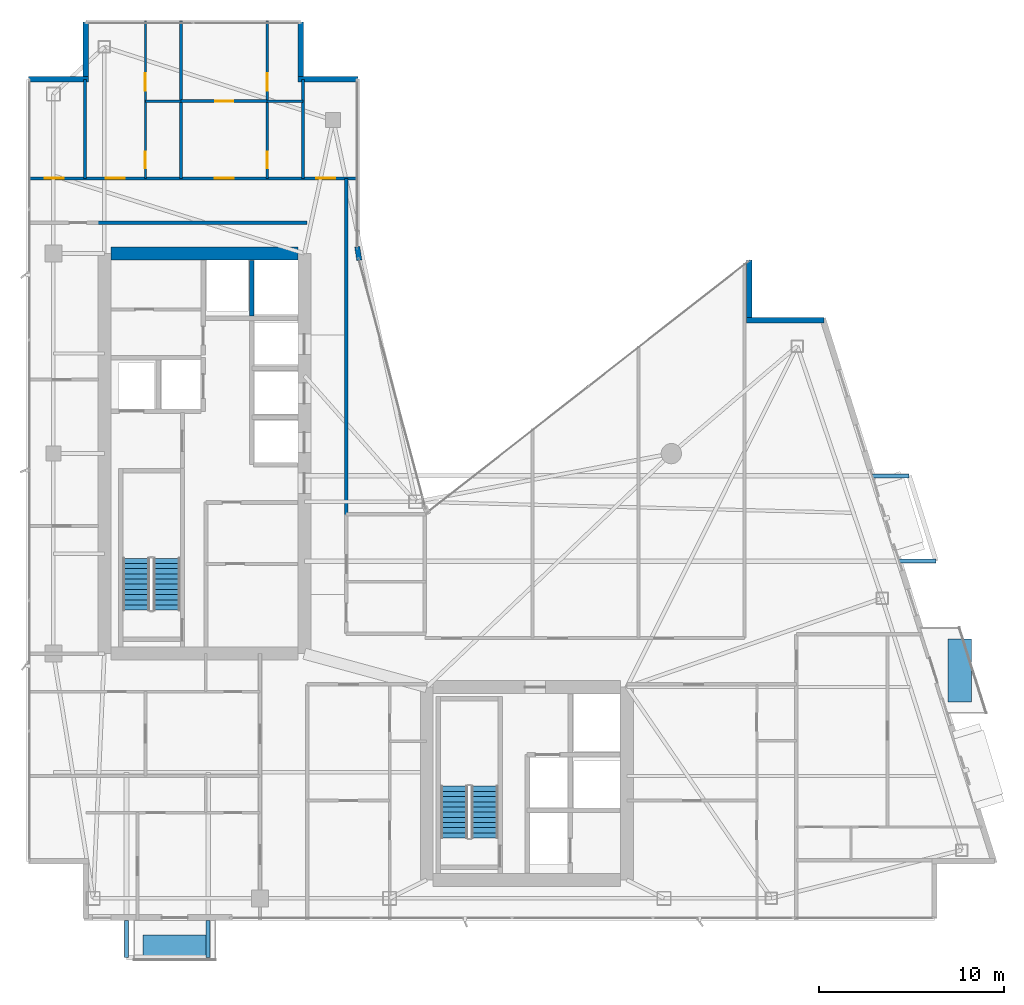
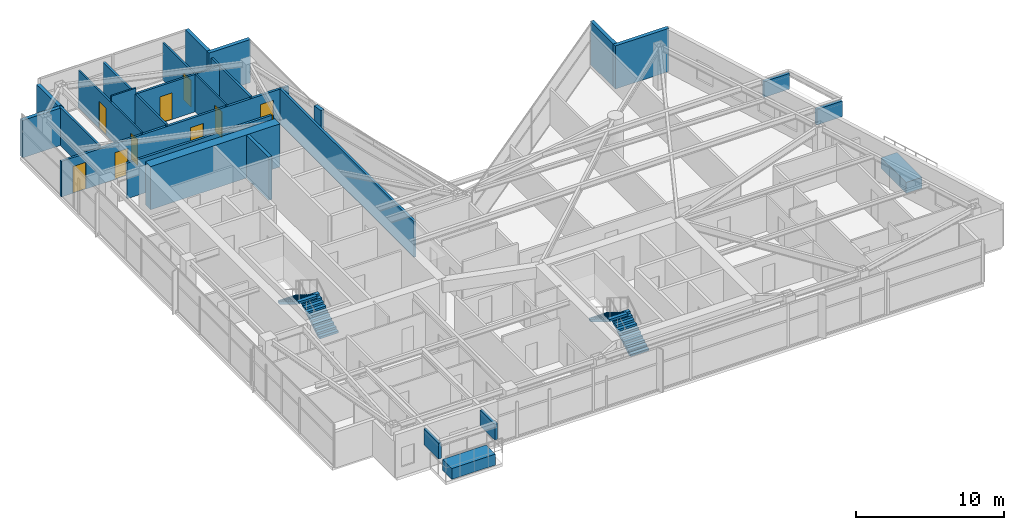
# One storey, part 27 of 30: 20 walls, 9 doors, 6 discrete accessories, 4 stair flights, 9 openings, 2 elements without a shape of their own.
"""IFC4 building model written with IfcOpenShell, lengths in metres."""

from ifc_helpers import new_model, si_unit, direction, frame, frame_2d, origin, origin_2d, place, context, subcontext, project, spatial, polyline, rectangle, outline, extrude, material, layer, layer_set, type_object, element, fill, aggregate, save


model = new_model("IFC4")

# Units and contexts
model_context = context("Model", 3, precision=1e-05, world=origin(), true_north=direction((0.0, 1.0)))
body_context = subcontext(model_context, "Body", "Model", "MODEL_VIEW")
ifc_project = project(units=[si_unit("LENGTHUNIT", "METRE"), si_unit("AREAUNIT", "SQUARE_METRE"), si_unit("VOLUMEUNIT", "CUBIC_METRE"), si_unit("PLANEANGLEUNIT", "RADIAN"), si_unit("MASSUNIT", "GRAM", prefix="KILO")], contexts=[model_context])

# Site, building, storey
site_placement = place(None, origin())
site = spatial("IfcSite", under=ifc_project, at=site_placement, CompositionType="ELEMENT")
building_placement = place(site_placement, origin())
building = spatial("IfcBuilding", under=site, at=building_placement, Name="Calvorn Quay Hotel", CompositionType="ELEMENT")
storey_placement = place(building_placement, frame((0.0, 0.0, 203.39990234375)))
storey = spatial("IfcBuildingStorey", under=building, at=storey_placement, Name="L50", CompositionType="ELEMENT", Elevation=203.39990234375)

# Wall
ifc_material_1 = material(Name="Concrete C45", Category="concrete")
ifc_layer_1 = layer(ifc_material_1, 0.699951171875)
ifc_layer_set_1 = layer_set([ifc_layer_1], Name="WL-CORE-700")
wall_type_1 = type_object("IfcWallType", Name="WL-CORE-700", PredefinedType="SHEAR", material=ifc_layer_set_1)
wall_1_placement = place(storey_placement, frame((4.550048828125, 38.39990234375, 0.0), z_axis=(0.0, 0.0, 1.0), x_axis=(1.0, 0.0, 0.0)))
element("IfcWall", 1, at=wall_1_placement, inside=storey, type_object=wall_type_1, Name="West Core Shear Wall N (L50)", PredefinedType="SHEAR", context=body_context, shape_type="SweptSolid", body=[
    extrude(rectangle(XDim=10.099853515625, YDim=0.699951171875, at=frame_2d((5.0498046875, 0.0))), origin(), (0.0, 0.0, 1.0), 3.56005859375),
])

# Wall, openings, doors
ifc_material_2 = material(Name="Acoustic Fireboard Steel-Stud Partition", Category="steel")
ifc_layer_2 = layer(ifc_material_2, 0.179931640625)
ifc_layer_set_2 = layer_set([ifc_layer_2], Name="WL-CORR-FIRE-180")
wall_type_2 = type_object("IfcWallType", Name="WL-CORR-FIRE-180", PredefinedType="PARTITIONING", material=ifc_layer_set_2)
wall_2_placement = place(storey_placement, frame((0.080078125, 42.449951171875, 0.0), z_axis=(0.0, 0.0, 1.0), x_axis=(1.0, 0.0, 0.0)))
wall_2 = element("IfcWall", 2, at=wall_2_placement, inside=storey, type_object=wall_type_2, Name="Partition Wall L50-WL-CORR-NW-N", PredefinedType="PARTITIONING", context=body_context, shape_type="SweptSolid", body=[
    extrude(rectangle(XDim=17.77001953125, YDim=0.179931640625, at=frame_2d((8.885009765625, 0.0))), origin(), (0.0, 0.0, 1.0), 2.940185546875),
])
opening_1_placement = place(wall_2_placement, frame((0.89990234375, 0.0, 0.0)))
opening_1 = element("IfcOpeningElement", 3, at=opening_1_placement, cuts=wall_2, Name="Opening D-L50-NWW", PredefinedType="OPENING", context=body_context, shape_type="SweptSolid", body=[
    extrude(rectangle(XDim=1.02001953125, YDim=2.199951171875, at=frame_2d((0.510009765625, 1.10009765625))), frame((0.0, 0.099853515625, 0.0), z_axis=(0.0, -1.0, 0.0), x_axis=(1.0, 0.0, 0.0)), (0.0, 0.0, 1.0), 0.199951171875),
])
opening_2_placement = place(wall_2_placement, frame((4.199951171875, 0.0, 0.0)))
opening_2 = element("IfcOpeningElement", 4, at=opening_2_placement, cuts=wall_2, Name="Opening D-L50-U04", PredefinedType="OPENING", context=body_context, shape_type="SweptSolid", body=[
    extrude(rectangle(XDim=1.02001953125, YDim=2.199951171875, at=frame_2d((0.510009765625, 1.10009765625))), frame((0.0, 0.099853515625, 0.0), z_axis=(0.0, -1.0, 0.0), x_axis=(1.0, 0.0, 0.0)), (0.0, 0.0, 1.0), 0.199951171875),
])
opening_3_placement = place(wall_2_placement, frame((10.080078125, 0.0, 0.0)))
opening_3 = element("IfcOpeningElement", 5, at=opening_3_placement, cuts=wall_2, Name="Opening D-L50-U05", PredefinedType="OPENING", context=body_context, shape_type="SweptSolid", body=[
    extrude(rectangle(XDim=1.02001953125, YDim=2.199951171875, at=frame_2d((0.510009765625, 1.10009765625))), frame((0.0, 0.099853515625, 0.0), z_axis=(0.0, -1.0, 0.0), x_axis=(1.0, 0.0, 0.0)), (0.0, 0.0, 1.0), 0.199951171875),
])
opening_4_placement = place(wall_2_placement, frame((15.550048828125, 0.0, 0.0)))
opening_4 = element("IfcOpeningElement", 6, at=opening_4_placement, cuts=wall_2, Name="Opening D-L50-NWE", PredefinedType="OPENING", context=body_context, shape_type="SweptSolid", body=[
    extrude(rectangle(XDim=1.02001953125, YDim=2.199951171875, at=frame_2d((0.510009765625, 1.10009765625))), frame((0.0, 0.099853515625, 0.0), z_axis=(0.0, -1.0, 0.0), x_axis=(1.0, 0.0, 0.0)), (0.0, 0.0, 1.0), 0.199951171875),
])
ifc_material_3 = material(Name="Solid-Core Walnut Veneer Hotel Fire Door")
door_type_1 = type_object("IfcDoorType", Name="DR-GUEST-ENTRY-1020", OperationType="NOTDEFINED", PredefinedType="DOOR", material=ifc_material_3)
door_1_placement = place(opening_1_placement, origin())
door_1 = element("IfcDoor", 7, at=door_1_placement, inside=storey, type_object=door_type_1, Name="West Corner Study Door (L50)", OperationType="SINGLE_SWING_LEFT", OverallHeight=2.199951171875, OverallWidth=1.02001953125, PredefinedType="DOOR", context=body_context, shape_type="SweptSolid", body=[
    extrude(rectangle(XDim=1.02001953125, YDim=2.199951171875, at=frame_2d((0.510009765625, 1.10009765625))), frame((0.0, 0.02490234375, 0.0), z_axis=(0.0, -1.0, 0.0), x_axis=(1.0, 0.0, 0.0)), (0.0, 0.0, 1.0), 0.050048828125),
])
fill(opening_1, door_1)
door_2_placement = place(opening_2_placement, origin())
door_2 = element("IfcDoor", 8, at=door_2_placement, inside=storey, type_object=door_type_1, Name="North-West Unit Door U04 (L50)", OperationType="SINGLE_SWING_RIGHT", OverallHeight=2.199951171875, OverallWidth=1.02001953125, PredefinedType="DOOR", context=body_context, shape_type="SweptSolid", body=[
    extrude(rectangle(XDim=1.02001953125, YDim=2.199951171875, at=frame_2d((0.510009765625, 1.10009765625))), frame((0.0, 0.02490234375, 0.0), z_axis=(0.0, -1.0, 0.0), x_axis=(1.0, 0.0, 0.0)), (0.0, 0.0, 1.0), 0.050048828125),
])
fill(opening_2, door_2)
door_3_placement = place(opening_3_placement, origin())
door_3 = element("IfcDoor", 9, at=door_3_placement, inside=storey, type_object=door_type_1, Name="North-West Unit Door U05 (L50)", OperationType="SINGLE_SWING_LEFT", OverallHeight=2.199951171875, OverallWidth=1.02001953125, PredefinedType="DOOR", context=body_context, shape_type="SweptSolid", body=[
    extrude(rectangle(XDim=1.02001953125, YDim=2.199951171875, at=frame_2d((0.510009765625, 1.10009765625))), frame((0.0, 0.02490234375, 0.0), z_axis=(0.0, -1.0, 0.0), x_axis=(1.0, 0.0, 0.0)), (0.0, 0.0, 1.0), 0.050048828125),
])
fill(opening_3, door_3)
door_4_placement = place(opening_4_placement, origin())
door_4 = element("IfcDoor", 10, at=door_4_placement, inside=storey, type_object=door_type_1, Name="Inner Court Study Door (L50)", OperationType="SINGLE_SWING_RIGHT", OverallHeight=2.199951171875, OverallWidth=1.02001953125, PredefinedType="DOOR", context=body_context, shape_type="SweptSolid", body=[
    extrude(rectangle(XDim=1.02001953125, YDim=2.199951171875, at=frame_2d((0.510009765625, 1.10009765625))), frame((0.0, 0.02490234375, 0.0), z_axis=(0.0, -1.0, 0.0), x_axis=(1.0, 0.0, 0.0)), (0.0, 0.0, 1.0), 0.050048828125),
])
fill(opening_4, door_4)

# Walls
wall_3_placement = place(storey_placement, frame((17.25, 24.300048828125, 0.0), z_axis=(0.0, 0.0, 1.0), x_axis=(0.0, 1.0, 0.0)))
element("IfcWall", 11, at=wall_3_placement, inside=storey, type_object=wall_type_2, Name="Partition Wall L50-WL-NW-CLOSURE-E", PredefinedType="PARTITIONING", context=body_context, shape_type="SweptSolid", body=[
    extrude(rectangle(XDim=18.14990234375, YDim=0.179931640625, at=frame_2d((9.074951171875, 0.0))), origin(), (0.0, 0.0, 1.0), 2.940185546875),
])
wall_4_placement = place(storey_placement, frame((3.830078125, 40.050048828125, 0.0), z_axis=(0.0, 0.0, 1.0), x_axis=(1.0, 0.0, 0.0)))
element("IfcWall", 12, at=wall_4_placement, inside=storey, type_object=wall_type_2, Name="Partition Wall L50-WL-W-SPUR-S", PredefinedType="PARTITIONING", context=body_context, shape_type="SweptSolid", body=[
    extrude(rectangle(XDim=11.31982421875, YDim=0.179931640625, at=frame_2d((5.659912109375, 0.0))), origin(), (0.0, 0.0, 1.0), 2.940185546875),
])
ifc_material_4 = material(Name="Moisture-Resistant Tile-Backed Partition")
ifc_layer_3 = layer(ifc_material_4, 0.125)
ifc_layer_set_3 = layer_set([ifc_layer_3], Name="WL-ENSUITE-125")
wall_type_3 = type_object("IfcWallType", Name="WL-ENSUITE-125", PredefinedType="PARTITIONING", material=ifc_layer_set_3)
wall_5_placement = place(storey_placement, frame((6.419921875, 46.6201171875, 0.0), z_axis=(0.0, 0.0, 1.0), x_axis=(1.0, 0.0, 0.0)))
element("IfcWall", 13, at=wall_5_placement, inside=storey, type_object=wall_type_3, Name="Partition Wall L50-WL-U04-BDV", PredefinedType="PARTITIONING", context=body_context, shape_type="SweptSolid", body=[
    extrude(rectangle(XDim=1.93017578125, YDim=0.125, at=frame_2d((0.965087890625, 0.0))), origin(), (0.0, 0.0, 1.0), 3.56005859375),
])

# Wall, openings, doors
wall_6_placement = place(storey_placement, frame((6.419921875, 42.449951171875, 0.0), z_axis=(0.0, 0.0, 1.0), x_axis=(0.0, 1.0, 0.0)))
wall_6 = element("IfcWall", 14, at=wall_6_placement, inside=storey, type_object=wall_type_3, Name="Partition Wall L50-WL-U04-BV", PredefinedType="PARTITIONING", context=body_context, shape_type="SweptSolid", body=[
    extrude(rectangle(XDim=8.489990234375, YDim=0.125, at=frame_2d((4.2451171875, 0.0))), origin(), (0.0, 0.0, 1.0), 3.090087890625),
])
opening_5_placement = place(wall_6_placement, frame((0.550048828125, 0.0, 0.0)))
opening_5 = element("IfcOpeningElement", 15, at=opening_5_placement, cuts=wall_6, Name="Opening D-L50-E04", PredefinedType="OPENING", context=body_context, shape_type="SweptSolid", body=[
    extrude(rectangle(XDim=0.89990234375, YDim=2.14990234375, at=frame_2d((0.449951171875, 1.074951171875))), frame((0.0, 0.072509765625, 0.0), z_axis=(0.0, -1.0, 0.0), x_axis=(1.0, 0.0, 0.0)), (0.0, 0.0, 1.0), 0.14501953125),
])
opening_6_placement = place(wall_6_placement, frame((4.719970703125, 0.0, 0.0)))
opening_6 = element("IfcOpeningElement", 16, at=opening_6_placement, cuts=wall_6, Name="Opening D-L50-S04", PredefinedType="OPENING", context=body_context, shape_type="SweptSolid", body=[
    extrude(rectangle(XDim=0.9599609375, YDim=2.199951171875, at=frame_2d((0.47998046875, 1.10009765625))), frame((0.0, 0.072509765625, 0.0), z_axis=(0.0, -1.0, 0.0), x_axis=(1.0, 0.0, 0.0)), (0.0, 0.0, 1.0), 0.14501953125),
])
ifc_material_5 = material(Name="Moisture-Sealed Timber En-Suite Door", Category="wood")
door_type_2 = type_object("IfcDoorType", Name="DR-ENSUITE-900", OperationType="NOTDEFINED", PredefinedType="DOOR", material=ifc_material_5)
door_5_placement = place(opening_5_placement, origin())
door_5 = element("IfcDoor", 17, at=door_5_placement, inside=storey, type_object=door_type_2, Name="En-Suite Door 04", OperationType="SINGLE_SWING_LEFT", OverallHeight=2.14990234375, OverallWidth=0.89990234375, PredefinedType="DOOR", context=body_context, shape_type="SweptSolid", body=[
    extrude(rectangle(XDim=0.89990234375, YDim=2.14990234375, at=frame_2d((0.449951171875, 1.074951171875))), frame((0.0, 0.02490234375, 0.0), z_axis=(0.0, -1.0, 0.0), x_axis=(1.0, 0.0, 0.0)), (0.0, 0.0, 1.0), 0.050048828125),
])
fill(opening_5, door_5)
ifc_material_6 = material(Name="Solid Timber Internal Suite Door", Category="wood")
door_type_3 = type_object("IfcDoorType", Name="DR-SUITE-INT-960", OperationType="NOTDEFINED", PredefinedType="DOOR", material=ifc_material_6)
door_6_placement = place(opening_6_placement, origin())
door_6 = element("IfcDoor", 18, at=door_6_placement, inside=storey, type_object=door_type_3, Name="Executive Study Door 04", OperationType="SINGLE_SWING_RIGHT", OverallHeight=2.199951171875, OverallWidth=0.9599609375, PredefinedType="DOOR", context=body_context, shape_type="SweptSolid", body=[
    extrude(rectangle(XDim=0.9599609375, YDim=2.199951171875, at=frame_2d((0.47998046875, 1.10009765625))), frame((0.0, 0.02490234375, 0.0), z_axis=(0.0, -1.0, 0.0), x_axis=(1.0, 0.0, 0.0)), (0.0, 0.0, 1.0), 0.050048828125),
])
fill(opening_6, door_6)

# Wall
wall_7_placement = place(storey_placement, frame((12.989990234375, 46.6201171875, 0.0), z_axis=(0.0, 0.0, 1.0), x_axis=(1.0, 0.0, 0.0)))
element("IfcWall", 19, at=wall_7_placement, inside=storey, type_object=wall_type_3, Name="Partition Wall L50-WL-U05-BDV", PredefinedType="PARTITIONING", context=body_context, shape_type="SweptSolid", body=[
    extrude(rectangle(XDim=1.929931640625, YDim=0.125, at=frame_2d((0.96484375, 0.0))), origin(), (0.0, 0.0, 1.0), 3.090087890625),
])

# Wall, openings, doors
wall_8_placement = place(storey_placement, frame((12.989990234375, 42.449951171875, 0.0), z_axis=(0.0, 0.0, 1.0), x_axis=(0.0, 1.0, 0.0)))
wall_8 = element("IfcWall", 20, at=wall_8_placement, inside=storey, type_object=wall_type_3, Name="Partition Wall L50-WL-U05-BV", PredefinedType="PARTITIONING", context=body_context, shape_type="SweptSolid", body=[
    extrude(rectangle(XDim=8.489990234375, YDim=0.125, at=frame_2d((4.2451171875, 0.0))), origin(), (0.0, 0.0, 1.0), 3.090087890625),
])
opening_7_placement = place(wall_8_placement, frame((0.550048828125, 0.0, 0.0)))
opening_7 = element("IfcOpeningElement", 21, at=opening_7_placement, cuts=wall_8, Name="Opening D-L50-E05", PredefinedType="OPENING", context=body_context, shape_type="SweptSolid", body=[
    extrude(rectangle(XDim=0.89990234375, YDim=2.14990234375, at=frame_2d((0.449951171875, 1.074951171875))), frame((0.0, 0.072509765625, 0.0), z_axis=(0.0, -1.0, 0.0), x_axis=(1.0, 0.0, 0.0)), (0.0, 0.0, 1.0), 0.14501953125),
])
opening_8_placement = place(wall_8_placement, frame((4.719970703125, 0.0, 0.0)))
opening_8 = element("IfcOpeningElement", 22, at=opening_8_placement, cuts=wall_8, Name="Opening D-L50-S05", PredefinedType="OPENING", context=body_context, shape_type="SweptSolid", body=[
    extrude(rectangle(XDim=0.9599609375, YDim=2.199951171875, at=frame_2d((0.47998046875, 1.10009765625))), frame((0.0, 0.072509765625, 0.0), z_axis=(0.0, -1.0, 0.0), x_axis=(1.0, 0.0, 0.0)), (0.0, 0.0, 1.0), 0.14501953125),
])
door_7_placement = place(opening_7_placement, origin())
door_7 = element("IfcDoor", 23, at=door_7_placement, inside=storey, type_object=door_type_2, Name="En-Suite Door 05", OperationType="SINGLE_SWING_LEFT", OverallHeight=2.14990234375, OverallWidth=0.89990234375, PredefinedType="DOOR", context=body_context, shape_type="SweptSolid", body=[
    extrude(rectangle(XDim=0.89990234375, YDim=2.14990234375, at=frame_2d((0.449951171875, 1.074951171875))), frame((0.0, 0.02490234375, 0.0), z_axis=(0.0, -1.0, 0.0), x_axis=(1.0, 0.0, 0.0)), (0.0, 0.0, 1.0), 0.050048828125),
])
fill(opening_7, door_7)
door_8_placement = place(opening_8_placement, origin())
door_8 = element("IfcDoor", 24, at=door_8_placement, inside=storey, type_object=door_type_3, Name="Executive Study Door 05", OperationType="SINGLE_SWING_RIGHT", OverallHeight=2.199951171875, OverallWidth=0.9599609375, PredefinedType="DOOR", context=body_context, shape_type="SweptSolid", body=[
    extrude(rectangle(XDim=0.9599609375, YDim=2.199951171875, at=frame_2d((0.47998046875, 1.10009765625))), frame((0.0, 0.02490234375, 0.0), z_axis=(0.0, -1.0, 0.0), x_axis=(1.0, 0.0, 0.0)), (0.0, 0.0, 1.0), 0.050048828125),
])
fill(opening_8, door_8)

# Walls
ifc_material_7 = material(Name="Concrete C40", Category="concrete")
ifc_layer_4 = layer(ifc_material_7, 0.320068359375)
ifc_layer_set_4 = layer_set([ifc_layer_4], Name="WL-EXT-SPANDREL-320")
wall_type_4 = type_object("IfcWallType", Name="WL-EXT-SPANDREL-320", PredefinedType="SOLIDWALL", material=ifc_layer_set_4)
wall_9_placement = place(storey_placement, frame((17.9619140625, 38.030029296875, 0.0), z_axis=(0.0, 0.0, 1.0), x_axis=(-0.15141125477, 0.988470855377, 0.0)))
element("IfcWall", 25, at=wall_9_placement, inside=storey, type_object=wall_type_4, Name="Inner Court Corner Pier L50-ICJ2", PredefinedType="SOLIDWALL", context=body_context, shape_type="SweptSolid", body=[
    extrude(rectangle(XDim=0.738525390625, YDim=0.280029296875, at=frame_2d((0.369140625, 0.0))), origin(), (0.0, 0.0, 1.0), 3.56005859375),
])
wall_10_placement = place(storey_placement, frame((43.0400390625, 34.800048828125, 0.0), z_axis=(0.0, 0.0, 1.0), x_axis=(-1.0, 0.0, 0.0)))
element("IfcWall", 26, at=wall_10_placement, inside=storey, type_object=wall_type_4, Name="Notched Corner Spandrel L50-NE1", PredefinedType="SOLIDWALL", context=body_context, shape_type="SweptSolid", body=[
    extrude(rectangle(XDim=4.179931640625, YDim=0.280029296875, at=frame_2d((2.08984375, 0.0))), origin(), (0.0, 0.0, 1.0), 3.56005859375),
])
wall_11_placement = place(storey_placement, frame((39.0, 34.93994140625, 0.0), z_axis=(0.0, 0.0, 1.0), x_axis=(0.0, 1.0, 0.0)))
element("IfcWall", 27, at=wall_11_placement, inside=storey, type_object=wall_type_4, Name="Notched Corner Spandrel L50-NE2", PredefinedType="SOLIDWALL", context=body_context, shape_type="SweptSolid", body=[
    extrude(rectangle(XDim=3.10009765625, YDim=0.280029296875, at=frame_2d((1.550048828125, 0.0))), origin(), (0.0, 0.0, 1.0), 3.56005859375),
])
wall_12_placement = place(storey_placement, frame((17.89990234375, 47.800048828125, 0.0), z_axis=(0.0, 0.0, 1.0), x_axis=(-1.0, 0.0, 0.0)))
element("IfcWall", 28, at=wall_12_placement, inside=storey, type_object=wall_type_4, Name="Notched Corner Spandrel L50-NWE1", PredefinedType="SOLIDWALL", context=body_context, shape_type="SweptSolid", body=[
    extrude(rectangle(XDim=3.239990234375, YDim=0.280029296875, at=frame_2d((1.6201171875, 0.0))), origin(), (0.0, 0.0, 1.0), 3.56005859375),
])
wall_13_placement = place(storey_placement, frame((14.800048828125, 47.93994140625, 0.0), z_axis=(0.0, 0.0, 1.0), x_axis=(0.0, 1.0, 0.0)))
element("IfcWall", 29, at=wall_13_placement, inside=storey, type_object=wall_type_4, Name="Notched Corner Spandrel L50-NWE2", PredefinedType="SOLIDWALL", context=body_context, shape_type="SweptSolid", body=[
    extrude(rectangle(XDim=2.93994140625, YDim=0.280029296875, at=frame_2d((1.469970703125, 0.0))), origin(), (0.0, 0.0, 1.0), 3.56005859375),
])
wall_14_placement = place(storey_placement, frame((3.199951171875, 50.8798828125, 0.0), z_axis=(0.0, 0.0, 1.0), x_axis=(0.0, -1.0, 0.0)))
element("IfcWall", 30, at=wall_14_placement, inside=storey, type_object=wall_type_4, Name="Notched Corner Spandrel L50-NW1", PredefinedType="SOLIDWALL", context=body_context, shape_type="SweptSolid", body=[
    extrude(rectangle(XDim=2.93994140625, YDim=0.280029296875, at=frame_2d((1.469970703125, 0.0))), origin(), (0.0, 0.0, 1.0), 3.090087890625),
])
wall_15_placement = place(storey_placement, frame((3.340087890625, 47.800048828125, 0.0), z_axis=(0.0, 0.0, 1.0), x_axis=(-1.0, 0.0, 0.0)))
element("IfcWall", 31, at=wall_15_placement, inside=storey, type_object=wall_type_4, Name="Notched Corner Spandrel L50-NW2", PredefinedType="SOLIDWALL", context=body_context, shape_type="SweptSolid", body=[
    extrude(rectangle(XDim=3.219970703125, YDim=0.280029296875, at=frame_2d((1.60986328125, 0.0))), origin(), (0.0, 0.0, 1.0), 3.090087890625),
])
ifc_material_8 = material(Name="Double-Stud Acoustic Gypsum Partition")
ifc_layer_5 = layer(ifc_material_8, 0.159912109375)
ifc_layer_set_5 = layer_set([ifc_layer_5], Name="WL-INTERSUITE-160")
wall_type_5 = type_object("IfcWallType", Name="WL-INTERSUITE-160", PredefinedType="PARTITIONING", material=ifc_layer_set_5)
wall_16_placement = place(storey_placement, frame((3.14990234375, 42.449951171875, 0.0), z_axis=(0.0, 0.0, 1.0), x_axis=(0.0, 1.0, 0.0)))
element("IfcWall", 32, at=wall_16_placement, inside=storey, type_object=wall_type_5, Name="Partition Wall L50-WL-NW-DIV-W0", PredefinedType="PARTITIONING", context=body_context, shape_type="SweptSolid", body=[
    extrude(rectangle(XDim=5.35009765625, YDim=0.159912109375, at=frame_2d((2.675048828125, 0.0))), origin(), (0.0, 0.0, 1.0), 3.14013671875),
])
wall_17_placement = place(storey_placement, frame((14.919921875, 42.449951171875, 0.0), z_axis=(0.0, 0.0, 1.0), x_axis=(0.0, 1.0, 0.0)))
element("IfcWall", 33, at=wall_17_placement, inside=storey, type_object=wall_type_5, Name="Partition Wall L50-WL-NW-DIV-E0", PredefinedType="PARTITIONING", context=body_context, shape_type="SweptSolid", body=[
    extrude(rectangle(XDim=5.35009765625, YDim=0.159912109375, at=frame_2d((2.675048828125, 0.0))), origin(), (0.0, 0.0, 1.0), 3.090087890625),
])

# Wall, opening, door
wall_18_placement = place(storey_placement, frame((8.35009765625, 46.6201171875, 0.0), z_axis=(0.0, 0.0, 1.0), x_axis=(1.0, 0.0, 0.0)))
wall_18 = element("IfcWall", 34, at=wall_18_placement, inside=storey, type_object=wall_type_5, Name="Partition Wall L50-WL-U05-MSP", PredefinedType="PARTITIONING", context=body_context, shape_type="SweptSolid", body=[
    extrude(rectangle(XDim=4.639892578125, YDim=0.159912109375, at=frame_2d((2.31982421875, 0.0))), origin(), (0.0, 0.0, 1.0), 3.090087890625),
])
opening_9_placement = place(wall_18_placement, frame((1.840087890625, 0.0, 0.0)))
opening_9 = element("IfcOpeningElement", 35, at=opening_9_placement, cuts=wall_18, Name="Opening D-L50-M05", PredefinedType="OPENING", context=body_context, shape_type="SweptSolid", body=[
    extrude(rectangle(XDim=0.9599609375, YDim=2.199951171875, at=frame_2d((0.47998046875, 1.10009765625))), frame((0.0, 0.08984375, 0.0), z_axis=(0.0, -1.0, 0.0), x_axis=(1.0, 0.0, 0.0)), (0.0, 0.0, 1.0), 0.179931640625),
])
door_9_placement = place(opening_9_placement, origin())
door_9 = element("IfcDoor", 36, at=door_9_placement, inside=storey, type_object=door_type_3, Name="Suite Bedroom Door 05", OperationType="SINGLE_SWING_LEFT", OverallHeight=2.199951171875, OverallWidth=0.9599609375, PredefinedType="DOOR", context=body_context, shape_type="SweptSolid", body=[
    extrude(rectangle(XDim=0.9599609375, YDim=2.199951171875, at=frame_2d((0.47998046875, 1.10009765625))), frame((0.0, 0.02490234375, 0.0), z_axis=(0.0, -1.0, 0.0), x_axis=(1.0, 0.0, 0.0)), (0.0, 0.0, 1.0), 0.050048828125),
])
fill(opening_9, door_9)

# Walls
wall_19_placement = place(storey_placement, frame((8.35009765625, 42.449951171875, 0.0), z_axis=(0.0, 0.0, 1.0), x_axis=(0.0, 1.0, 0.0)))
element("IfcWall", 37, at=wall_19_placement, inside=storey, type_object=wall_type_5, Name="Partition Wall L50-WL-NW-DIV-1", PredefinedType="PARTITIONING", context=body_context, shape_type="SweptSolid", body=[
    extrude(rectangle(XDim=8.489990234375, YDim=0.159912109375, at=frame_2d((4.2451171875, 0.0))), origin(), (0.0, 0.0, 1.0), 3.090087890625),
])
ifc_material_9 = material(Name="Concrete C40", Category="concrete")
ifc_layer_6 = layer(ifc_material_9, 0.239990234375)
ifc_layer_set_6 = layer_set([ifc_layer_6], Name="WL-SHAFT-240")
wall_type_6 = type_object("IfcWallType", Name="WL-SHAFT-240", PredefinedType="SOLIDWALL", material=ifc_layer_set_6)
wall_20_placement = place(storey_placement, frame((12.14990234375, 35.02001953125, 0.0), z_axis=(0.0, 0.0, 1.0), x_axis=(0.0, 1.0, 0.0)))
element("IfcWall", 38, at=wall_20_placement, inside=storey, type_object=wall_type_6, Name="Partition Wall L50-WL-CWW-PLH-DIV", PredefinedType="SOLIDWALL", context=body_context, shape_type="SweptSolid", body=[
    extrude(rectangle(XDim=3.010009765625, YDim=0.239990234375, at=frame_2d((1.5048828125, 0.0))), origin(), (0.0, 0.0, 1.0), 3.56005859375),
])

# Stair, stair flights
ifc_material_10 = material(Name="Concrete C40", Category="concrete")
stair_type = type_object("IfcStairType", Name="STR-CORE-DOGLEG", PredefinedType="HALF_TURN_STAIR", material=ifc_material_10)
stair_1_placement = place(storey_placement, origin())
stair_1 = element("IfcStair", 39, at=stair_1_placement, inside=storey, type_object=stair_type, Name="L50 ST-W", PredefinedType="HALF_TURN_STAIR")
ifc_material_11 = material(Name="Concrete C40", Category="concrete")
stair_flight_type = type_object("IfcStairFlightType", Name="FLT-CORE-1550", PredefinedType="STRAIGHT", material=ifc_material_11)
stair_flight_1_placement = place(storey_placement, frame((7.574951171875, 19.14990234375, 0.0), z_axis=(0.0, 0.0, 1.0), x_axis=(0.0, 1.0, 0.0)))
stair_flight_1 = element("IfcStairFlight", 40, at=stair_flight_1_placement, type_object=stair_flight_type, Name="ST-W flight 1", NumberOfRisers=11, NumberOfTreads=10, PredefinedType="STRAIGHT", RiserHeight=0.172727273, TreadLength=0.28, context=body_context, shape_type="SweptSolid", body=[
    extrude(outline(polyline([(0.0, 0.0), (0.0, 0.172607421875), (0.280029296875, 0.172607421875), (0.280029296875, 0.345458984375), (0.56005859375, 0.345458984375), (0.56005859375, 0.51806640625), (0.840087890625, 0.51806640625), (0.840087890625, 0.69091796875), (1.1201171875, 0.69091796875), (1.1201171875, 0.863525390625), (1.39990234375, 0.863525390625), (1.39990234375, 1.036376953125), (1.679931640625, 1.036376953125), (1.679931640625, 1.208984375), (1.9599609375, 1.208984375), (1.9599609375, 1.3818359375), (2.239990234375, 1.3818359375), (2.239990234375, 1.554443359375), (2.52001953125, 1.554443359375), (2.52001953125, 1.727294921875), (2.800048828125, 1.727294921875), (2.800048828125, 1.89990234375), (2.800048828125, 1.551025390625), (0.285400390625, 0.0), (0.0, 0.0)])), frame((0.0, 0.72509765625, 0.0), z_axis=(0.0, -1.0, 0.0), x_axis=(1.0, 0.0, 0.0)), (0.0, 0.0, 1.0), 1.449951171875),
])
stair_flight_2_placement = place(storey_placement, frame((5.925048828125, 21.949951171875, 1.900146484375), z_axis=(0.0, 0.0, 1.0), x_axis=(0.0, -1.0, 0.0)))
stair_flight_2 = element("IfcStairFlight", 41, at=stair_flight_2_placement, type_object=stair_flight_type, Name="ST-W flight 2", NumberOfRisers=11, NumberOfTreads=10, PredefinedType="STRAIGHT", RiserHeight=0.172727273, TreadLength=0.28, context=body_context, shape_type="SweptSolid", body=[
    extrude(outline(polyline([(0.0, 0.0), (0.0, 0.172607421875), (0.280029296875, 0.172607421875), (0.280029296875, 0.345458984375), (0.56005859375, 0.345458984375), (0.56005859375, 0.51806640625), (0.840087890625, 0.51806640625), (0.840087890625, 0.69091796875), (1.1201171875, 0.69091796875), (1.1201171875, 0.863525390625), (1.39990234375, 0.863525390625), (1.39990234375, 1.036376953125), (1.679931640625, 1.036376953125), (1.679931640625, 1.208984375), (1.9599609375, 1.208984375), (1.9599609375, 1.3818359375), (2.239990234375, 1.3818359375), (2.239990234375, 1.554443359375), (2.52001953125, 1.554443359375), (2.52001953125, 1.727294921875), (2.800048828125, 1.727294921875), (2.800048828125, 1.89990234375), (2.800048828125, 1.551025390625), (0.285400390625, 0.0), (0.0, 0.0)])), frame((0.0, 0.72509765625, 0.0), z_axis=(0.0, -1.0, 0.0), x_axis=(1.0, 0.0, 0.0)), (0.0, 0.0, 1.0), 1.449951171875),
])
aggregate(stair_1, [stair_flight_1, stair_flight_2])

stair_2_placement = place(storey_placement, origin())
stair_2 = element("IfcStair", 42, at=stair_2_placement, inside=storey, type_object=stair_type, Name="L50 ST-E", PredefinedType="HALF_TURN_STAIR")
stair_flight_3_placement = place(storey_placement, frame((24.72509765625, 6.85009765625, 0.0), z_axis=(0.0, 0.0, 1.0), x_axis=(0.0, 1.0, 0.0)))
stair_flight_3 = element("IfcStairFlight", 43, at=stair_flight_3_placement, type_object=stair_flight_type, Name="ST-E flight 1", NumberOfRisers=11, NumberOfTreads=10, PredefinedType="STRAIGHT", RiserHeight=0.172727273, TreadLength=0.28, context=body_context, shape_type="SweptSolid", body=[
    extrude(outline(polyline([(0.0, 0.0), (0.0, 0.172607421875), (0.280029296875, 0.172607421875), (0.280029296875, 0.345458984375), (0.56005859375, 0.345458984375), (0.56005859375, 0.51806640625), (0.840087890625, 0.51806640625), (0.840087890625, 0.69091796875), (1.1201171875, 0.69091796875), (1.1201171875, 0.863525390625), (1.39990234375, 0.863525390625), (1.39990234375, 1.036376953125), (1.679931640625, 1.036376953125), (1.679931640625, 1.208984375), (1.9599609375, 1.208984375), (1.9599609375, 1.3818359375), (2.239990234375, 1.3818359375), (2.239990234375, 1.554443359375), (2.52001953125, 1.554443359375), (2.52001953125, 1.727294921875), (2.800048828125, 1.727294921875), (2.800048828125, 1.89990234375), (2.800048828125, 1.551025390625), (0.285400390625, 0.0), (0.0, 0.0)])), frame((0.0, 0.72509765625, 0.0), z_axis=(0.0, -1.0, 0.0), x_axis=(1.0, 0.0, 0.0)), (0.0, 0.0, 1.0), 1.449951171875),
])
stair_flight_4_placement = place(storey_placement, frame((23.074951171875, 9.64990234375, 1.900146484375), z_axis=(0.0, 0.0, 1.0), x_axis=(0.0, -1.0, 0.0)))
stair_flight_4 = element("IfcStairFlight", 44, at=stair_flight_4_placement, type_object=stair_flight_type, Name="ST-E flight 2", NumberOfRisers=11, NumberOfTreads=10, PredefinedType="STRAIGHT", RiserHeight=0.172727273, TreadLength=0.28, context=body_context, shape_type="SweptSolid", body=[
    extrude(outline(polyline([(0.0, 0.0), (0.0, 0.172607421875), (0.280029296875, 0.172607421875), (0.280029296875, 0.345458984375), (0.56005859375, 0.345458984375), (0.56005859375, 0.51806640625), (0.840087890625, 0.51806640625), (0.840087890625, 0.69091796875), (1.1201171875, 0.69091796875), (1.1201171875, 0.863525390625), (1.39990234375, 0.863525390625), (1.39990234375, 1.036376953125), (1.679931640625, 1.036376953125), (1.679931640625, 1.208984375), (1.9599609375, 1.208984375), (1.9599609375, 1.3818359375), (2.239990234375, 1.3818359375), (2.239990234375, 1.554443359375), (2.52001953125, 1.554443359375), (2.52001953125, 1.727294921875), (2.800048828125, 1.727294921875), (2.800048828125, 1.89990234375), (2.800048828125, 1.551025390625), (0.285400390625, 0.0), (0.0, 0.0)])), frame((0.0, 0.72509765625, 0.0), z_axis=(0.0, -1.0, 0.0), x_axis=(1.0, 0.0, 0.0)), (0.0, 0.0, 1.0), 1.449951171875),
])
aggregate(stair_2, [stair_flight_3, stair_flight_4])

# Discrete accessories
ifc_material_12 = material(Name="Steel Q355B", Category="steel")
discrete_accessory_type_1 = type_object("IfcDiscreteAccessoryType", Name="ACC-BALC-STRUT", PredefinedType="BRACKET", material=ifc_material_12)
for number, where, z_axis, x_axis, name in (
    (45, (48.091064453125, 21.800048828125, 2.01513671875), (0.0, 0.0, 1.0), (1.0, 0.0, 0.0), "Exterior Balcony Steel Bracket L51-BALC-E-A"),
    (46, (46.64208984375, 26.39990234375, 2.01513671875), (0.0, 0.0, 1.0), (1.0, 0.0, 0.0), "Exterior Balcony Steel Bracket L51-BALC-E-B"),
):
    element("IfcDiscreteAccessory", number, at=place(storey_placement, frame(where, z_axis=z_axis, x_axis=x_axis)), inside=storey, type_object=discrete_accessory_type_1, Name=name, PredefinedType="BRACKET", context=body_context, shape_type="SweptSolid", body=[
        extrude(rectangle(XDim=1.989990234375, YDim=0.219970703125, at=origin_2d()), origin(), (0.0, 0.0, 1.0), 1.300048828125),
    ])
for number, where, z_axis, x_axis, name in (
    (47, (5.39990234375, 1.405029296875, 2.01513671875), (0.0, 0.0, 1.0), (1.0, 0.0, 0.0), "Exterior Balcony Steel Bracket L51-BALC-S-A"),
    (48, (9.800048828125, 1.405029296875, 2.01513671875), (0.0, 0.0, 1.0), (1.0, 0.0, 0.0), "Exterior Balcony Steel Bracket L51-BALC-S-B"),
):
    element("IfcDiscreteAccessory", number, at=place(storey_placement, frame(where, z_axis=z_axis, x_axis=x_axis)), inside=storey, type_object=discrete_accessory_type_1, Name=name, PredefinedType="BRACKET", context=body_context, shape_type="SweptSolid", body=[
        extrude(rectangle(XDim=0.219970703125, YDim=1.989990234375, at=origin_2d()), origin(), (0.0, 0.0, 1.0), 1.300048828125),
    ])
ifc_material_13 = material(Name="Precast concrete C40", Category="concrete")
discrete_accessory_type_2 = type_object("IfcDiscreteAccessoryType", Name="ACC-TREE-PLANTER", PredefinedType="USERDEFINED", material=ifc_material_13)
discrete_accessory_1_placement = place(storey_placement, frame((50.364013671875, 15.89990234375, 0.000244140625), z_axis=(0.0, 0.0, 1.0), x_axis=(1.0, 0.0, 0.0)))
element("IfcDiscreteAccessory", 49, at=discrete_accessory_1_placement, inside=storey, type_object=discrete_accessory_type_2, Name="Subtropical Tree Structural Planter L50-BALC-E", ObjectType="PLANTER", PredefinedType="USERDEFINED", context=body_context, shape_type="SweptSolid", body=[
    extrude(rectangle(XDim=1.25, YDim=3.39990234375, at=origin_2d()), origin(), (0.0, 0.0, 1.0), 0.89990234375),
])
discrete_accessory_2_placement = place(storey_placement, frame((8.0, 0.989990234375, 0.000244140625), z_axis=(0.0, 0.0, 1.0), x_axis=(1.0, 0.0, 0.0)))
element("IfcDiscreteAccessory", 50, at=discrete_accessory_2_placement, inside=storey, type_object=discrete_accessory_type_2, Name="Subtropical Tree Structural Planter L50-BALC-S", ObjectType="PLANTER", PredefinedType="USERDEFINED", context=body_context, shape_type="SweptSolid", body=[
    extrude(rectangle(XDim=3.39990234375, YDim=1.25, at=origin_2d()), origin(), (0.0, 0.0, 1.0), 0.89990234375),
])

save(model, "model.ifc")
